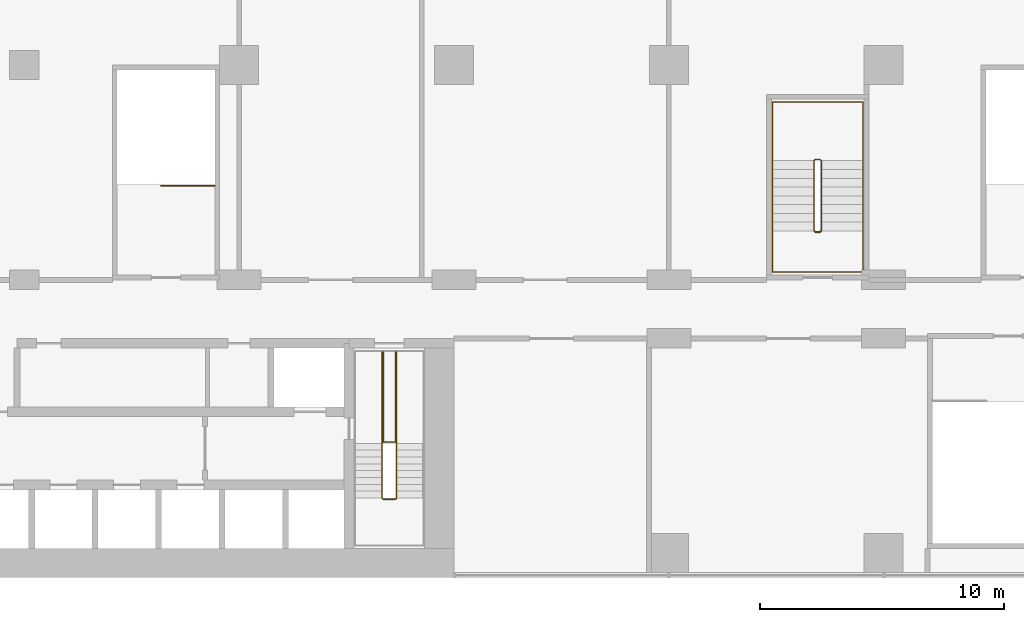
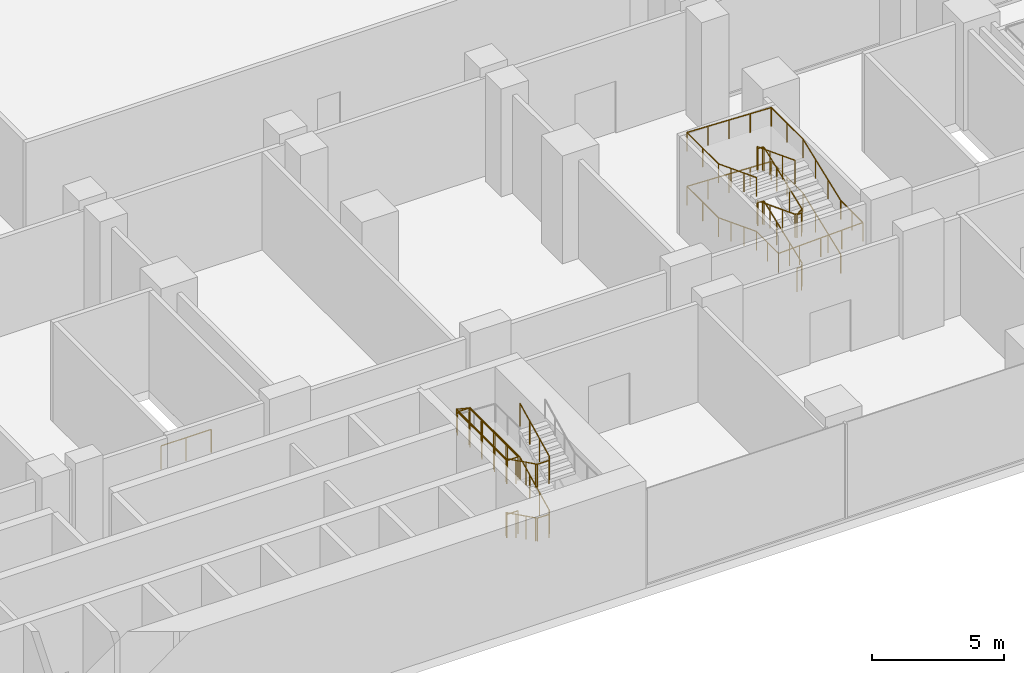
# One storey, part 25 of 27: 4 railings.
"""IFC4 building model written with IfcOpenShell, lengths in metres."""

from ifc_helpers import new_model, si_unit, direction, frame, origin, origin_2d, place, context, subcontext, project, spatial, circle, extrude, material, type_object, element, save


model = new_model("IFC4")

# Units and contexts
model_context = context("Model", 3, precision=1e-05, world=origin(), true_north=direction((0.0, 1.0)))
body_context = subcontext(model_context, "Body", "Model", "MODEL_VIEW")
ifc_project = project(units=[si_unit("LENGTHUNIT", "METRE"), si_unit("AREAUNIT", "SQUARE_METRE"), si_unit("VOLUMEUNIT", "CUBIC_METRE"), si_unit("PLANEANGLEUNIT", "RADIAN"), si_unit("MASSUNIT", "GRAM", prefix="KILO")], contexts=[model_context])

# Site, building, storey
site_placement = place(None, origin())
site = spatial("IfcSite", under=ifc_project, at=site_placement, CompositionType="ELEMENT")
building_placement = place(site_placement, origin())
building = spatial("IfcBuilding", under=site, at=building_placement, Name="Kemantara Hotel Tower", CompositionType="ELEMENT")
storey_placement = place(building_placement, frame((0.0, 0.0, 29.0)))
storey = spatial("IfcBuildingStorey", under=building, at=storey_placement, Name="L05", CompositionType="ELEMENT", Elevation=29.0)

# Railings
ifc_material = material(Name="Stainless steel balustrade", Category="steel")
railing_type_1 = type_object("IfcRailingType", Name="Stair guard 1100 mm", PredefinedType="GUARDRAIL", material=ifc_material)
railing_1_placement = place(storey_placement, frame((42.64990234375, 5.5, 5.0)))
element("IfcRailing", 1, at=railing_1_placement, inside=storey, type_object=railing_type_1, Name="L05 ST2 stair guard 1", PredefinedType="GUARDRAIL", context=body_context, shape_type="SweptSolid", body=[
    extrude(circle(Radius=0.02392578125, at=origin_2d()), frame((0.0, 0.0, 1.076171875), z_axis=(0.0, -0.895848192791, -0.444360231651), x_axis=(1.0, 0.0, 0.0)), (0.0, 0.0, 1.0), 2.50048828125),
    extrude(circle(Radius=0.02392578125, at=origin_2d()), frame((0.0, -2.239990234375, -0.03515625), z_axis=(-0.319608697381, -0.321175406682, -0.891457592206), x_axis=(0.708833529934, -0.705375805398, 0.0)), (0.0, 0.0, 1.0), 0.15576171875),
    extrude(circle(Radius=0.02392578125, at=origin_2d()), frame((-0.0498046875, -2.2900390625, -0.173828125), z_axis=(-1.0, 0.0, 0.0), x_axis=(0.0, -1.0, 0.0)), (0.0, 0.0, 1.0), 0.5),
    extrude(circle(Radius=0.02392578125, at=origin_2d()), frame((-0.5498046875, -2.2900390625, -0.173828125), z_axis=(-0.707106781187, 0.707106781187, 0.0), x_axis=(-0.707106781187, -0.707106781187, 0.0)), (0.0, 0.0, 1.0), 0.07080078125),
    extrude(circle(Radius=0.02392578125, at=origin_2d()), frame((-0.599853515625, -2.239990234375, -0.173828125), z_axis=(0.0, 0.895848192791, -0.444360231651), x_axis=(-1.0, 0.0, 0.0)), (0.0, 0.0, 1.0), 2.50048828125),
    extrude(circle(Radius=0.02392578125, at=origin_2d()), frame((-0.599853515625, 0.0, -1.28515625), z_axis=(0.0, 1.0, 0.0), x_axis=(-1.0, 0.0, 0.0)), (0.0, 0.0, 1.0), 3.780029296875),
    extrude(circle(Radius=0.02392578125, at=origin_2d()), frame((-0.599853515625, 3.780029296875, -1.28515625), z_axis=(0.969557479204, 0.0, -0.244863828525), x_axis=(0.0, 1.0, 0.0)), (0.0, 0.0, 1.0), 0.5673828125),
    extrude(circle(Radius=0.02392578125, at=origin_2d()), frame((-0.0498046875, 3.780029296875, -1.423828125), z_axis=(0.0, -1.0, 0.0), x_axis=(1.0, 0.0, 0.0)), (0.0, 0.0, 1.0), 3.72998046875),
    extrude(circle(Radius=0.02392578125, at=origin_2d()), frame((-0.0498046875, 0.050048828125, -1.423828125), z_axis=(-1.0, 0.0, 0.0), x_axis=(0.0, -1.0, 0.0)), (0.0, 0.0, 1.0), 0.5),
    extrude(circle(Radius=0.02392578125, at=origin_2d()), frame((-0.5498046875, 0.050048828125, -1.423828125), z_axis=(0.0, 1.0, 0.0), x_axis=(-1.0, 0.0, 0.0)), (0.0, 0.0, 1.0), 3.72998046875),
    extrude(circle(Radius=0.02392578125, at=origin_2d()), frame((-0.5498046875, 3.780029296875, -1.423828125), z_axis=(1.0, 0.0, 0.0), x_axis=(0.0, 1.0, 0.0)), (0.0, 0.0, 1.0), 0.5498046875),
    extrude(circle(Radius=0.02392578125, at=origin_2d()), frame((0.0, 3.780029296875, -1.423828125), z_axis=(0.0, -1.0, 0.0), x_axis=(1.0, 0.0, 0.0)), (0.0, 0.0, 1.0), 3.780029296875),
    extrude(circle(Radius=0.02392578125, at=origin_2d()), frame((0.0, 0.0, -1.423828125), z_axis=(0.0, -0.895848192791, -0.444360231651), x_axis=(1.0, 0.0, 0.0)), (0.0, 0.0, 1.0), 2.50048828125),
    extrude(circle(Radius=0.02392578125, at=origin_2d()), frame((0.0, -2.239990234375, -2.53515625), z_axis=(-0.319608697381, -0.321175406682, -0.891457592206), x_axis=(0.708833529934, -0.705375805398, 0.0)), (0.0, 0.0, 1.0), 0.15576171875),
    extrude(circle(Radius=0.02392578125, at=origin_2d()), frame((-0.0498046875, -2.2900390625, -2.673828125), z_axis=(-1.0, 0.0, 0.0), x_axis=(0.0, -1.0, 0.0)), (0.0, 0.0, 1.0), 0.5),
    extrude(circle(Radius=0.02392578125, at=origin_2d()), frame((-0.5498046875, -2.2900390625, -2.673828125), z_axis=(-0.707106781187, 0.707106781187, 0.0), x_axis=(-0.707106781187, -0.707106781187, 0.0)), (0.0, 0.0, 1.0), 0.07080078125),
    extrude(circle(Radius=0.02392578125, at=origin_2d()), frame((-0.599853515625, -2.239990234375, -2.673828125), z_axis=(0.0, 0.895848192791, -0.444360231651), x_axis=(-1.0, 0.0, 0.0)), (0.0, 0.0, 1.0), 2.50048828125),
    extrude(circle(Radius=0.02392578125, at=origin_2d()), frame((-0.599853515625, 0.0, -3.78515625), z_axis=(0.321014310373, 0.321014310373, -0.891010451718), x_axis=(-0.707106781187, 0.707106781187, 0.0)), (0.0, 0.0, 1.0), 0.156005859375),
    extrude(circle(Radius=0.02392578125, at=origin_2d()), frame((-0.5498046875, 0.050048828125, -3.923828125), z_axis=(1.0, 0.0, 0.0), x_axis=(0.0, 1.0, 0.0)), (0.0, 0.0, 1.0), 0.5),
    extrude(circle(Radius=0.02099609375, at=origin_2d()), origin(), (0.0, 0.0, 1.0), 1.052001953125),
    extrude(circle(Radius=0.02099609375, at=origin_2d()), frame((0.0, -0.74658203125, -0.370361328125)), (0.0, 0.0, 1.0), 1.052001953125),
    extrude(circle(Radius=0.02099609375, at=origin_2d()), frame((0.0, -1.493408203125, -0.74072265625)), (0.0, 0.0, 1.0), 1.052001953125),
    extrude(circle(Radius=0.02099609375, at=origin_2d()), frame((0.0, -2.239990234375, -1.111083984375)), (0.0, 0.0, 1.0), 1.052001953125),
    extrude(circle(Radius=0.02099609375, at=origin_2d()), frame((-0.0498046875, -2.2900390625, -1.25)), (0.0, 0.0, 1.0), 1.052001953125),
    extrude(circle(Radius=0.02099609375, at=origin_2d()), frame((-0.5498046875, -2.2900390625, -1.25)), (0.0, 0.0, 1.0), 1.052001953125),
    extrude(circle(Radius=0.02099609375, at=origin_2d()), frame((-0.599853515625, -2.239990234375, -1.25)), (0.0, 0.0, 1.0), 1.052001953125),
    extrude(circle(Radius=0.02099609375, at=origin_2d()), frame((-0.599853515625, -1.493408203125, -1.620361328125)), (0.0, 0.0, 1.0), 1.052001953125),
    extrude(circle(Radius=0.02099609375, at=origin_2d()), frame((-0.599853515625, -0.74658203125, -1.99072265625)), (0.0, 0.0, 1.0), 1.052001953125),
    extrude(circle(Radius=0.02099609375, at=origin_2d()), frame((-0.599853515625, 0.0, -2.361083984375)), (0.0, 0.0, 1.0), 1.052001953125),
    extrude(circle(Radius=0.02099609375, at=origin_2d()), frame((-0.599853515625, 0.945068359375, -2.361083984375)), (0.0, 0.0, 1.0), 1.052001953125),
    extrude(circle(Radius=0.02099609375, at=origin_2d()), frame((-0.599853515625, 1.89013671875, -2.361083984375)), (0.0, 0.0, 1.0), 1.052001953125),
    extrude(circle(Radius=0.02099609375, at=origin_2d()), frame((-0.599853515625, 2.8349609375, -2.361083984375)), (0.0, 0.0, 1.0), 1.052001953125),
    extrude(circle(Radius=0.02099609375, at=origin_2d()), frame((-0.599853515625, 3.780029296875, -2.361083984375)), (0.0, 0.0, 1.0), 1.052001953125),
    extrude(circle(Radius=0.02099609375, at=origin_2d()), frame((-0.0498046875, 3.780029296875, -2.5)), (0.0, 0.0, 1.0), 1.052001953125),
    extrude(circle(Radius=0.02099609375, at=origin_2d()), frame((-0.0498046875, 2.84765625, -2.5)), (0.0, 0.0, 1.0), 1.052001953125),
    extrude(circle(Radius=0.02099609375, at=origin_2d()), frame((-0.0498046875, 1.9150390625, -2.5)), (0.0, 0.0, 1.0), 1.052001953125),
    extrude(circle(Radius=0.02099609375, at=origin_2d()), frame((-0.0498046875, 0.982421875, -2.5)), (0.0, 0.0, 1.0), 1.052001953125),
    extrude(circle(Radius=0.02099609375, at=origin_2d()), frame((-0.0498046875, 0.050048828125, -2.5)), (0.0, 0.0, 1.0), 1.052001953125),
    extrude(circle(Radius=0.02099609375, at=origin_2d()), frame((-0.5498046875, 0.050048828125, -2.5)), (0.0, 0.0, 1.0), 1.052001953125),
    extrude(circle(Radius=0.02099609375, at=origin_2d()), frame((-0.5498046875, 0.982421875, -2.5)), (0.0, 0.0, 1.0), 1.052001953125),
    extrude(circle(Radius=0.02099609375, at=origin_2d()), frame((-0.5498046875, 1.9150390625, -2.5)), (0.0, 0.0, 1.0), 1.052001953125),
    extrude(circle(Radius=0.02099609375, at=origin_2d()), frame((-0.5498046875, 2.84765625, -2.5)), (0.0, 0.0, 1.0), 1.052001953125),
    extrude(circle(Radius=0.02099609375, at=origin_2d()), frame((-0.5498046875, 3.780029296875, -2.5)), (0.0, 0.0, 1.0), 1.052001953125),
    extrude(circle(Radius=0.02099609375, at=origin_2d()), frame((0.0, 3.780029296875, -2.5)), (0.0, 0.0, 1.0), 1.052001953125),
    extrude(circle(Radius=0.02099609375, at=origin_2d()), frame((0.0, 2.8349609375, -2.5)), (0.0, 0.0, 1.0), 1.052001953125),
    extrude(circle(Radius=0.02099609375, at=origin_2d()), frame((0.0, 1.89013671875, -2.5)), (0.0, 0.0, 1.0), 1.052001953125),
    extrude(circle(Radius=0.02099609375, at=origin_2d()), frame((0.0, 0.945068359375, -2.5)), (0.0, 0.0, 1.0), 1.052001953125),
    extrude(circle(Radius=0.02099609375, at=origin_2d()), frame((0.0, 0.0, -2.5)), (0.0, 0.0, 1.0), 1.052001953125),
    extrude(circle(Radius=0.02099609375, at=origin_2d()), frame((0.0, -0.74658203125, -2.870361328125)), (0.0, 0.0, 1.0), 1.052001953125),
    extrude(circle(Radius=0.02099609375, at=origin_2d()), frame((0.0, -1.493408203125, -3.24072265625)), (0.0, 0.0, 1.0), 1.052001953125),
    extrude(circle(Radius=0.02099609375, at=origin_2d()), frame((0.0, -2.239990234375, -3.611083984375)), (0.0, 0.0, 1.0), 1.052001953125),
    extrude(circle(Radius=0.02099609375, at=origin_2d()), frame((-0.0498046875, -2.2900390625, -3.75)), (0.0, 0.0, 1.0), 1.052001953125),
    extrude(circle(Radius=0.02099609375, at=origin_2d()), frame((-0.5498046875, -2.2900390625, -3.75)), (0.0, 0.0, 1.0), 1.052001953125),
    extrude(circle(Radius=0.02099609375, at=origin_2d()), frame((-0.599853515625, -2.239990234375, -3.75)), (0.0, 0.0, 1.0), 1.052001953125),
    extrude(circle(Radius=0.02099609375, at=origin_2d()), frame((-0.599853515625, -1.493408203125, -4.120361328125)), (0.0, 0.0, 1.0), 1.052001953125),
    extrude(circle(Radius=0.02099609375, at=origin_2d()), frame((-0.599853515625, -0.74658203125, -4.49072265625)), (0.0, 0.0, 1.0), 1.052001953125),
    extrude(circle(Radius=0.02099609375, at=origin_2d()), frame((-0.599853515625, 0.0, -4.861083984375)), (0.0, 0.0, 1.0), 1.052001953125),
    extrude(circle(Radius=0.02099609375, at=origin_2d()), frame((-0.5498046875, 0.050048828125, -5.0)), (0.0, 0.0, 1.0), 1.052001953125),
    extrude(circle(Radius=0.02099609375, at=origin_2d()), frame((-0.0498046875, 0.050048828125, -5.0)), (0.0, 0.0, 1.0), 1.052001953125),
])
railing_2_placement = place(storey_placement, frame((59.75, 14.199951171875, 5.0)))
element("IfcRailing", 2, at=railing_2_placement, inside=storey, type_object=railing_type_1, Name="L05 ST3 stair guard 1", PredefinedType="GUARDRAIL", context=body_context, shape_type="SweptSolid", body=[
    extrude(circle(Radius=0.02392578125, at=origin_2d()), frame((0.0, 0.0, 1.076171875), z_axis=(0.0, 0.932982310422, -0.359922225543), x_axis=(-1.0, 0.0, 0.0)), (0.0, 0.0, 1.0), 3.0869140625),
    extrude(circle(Radius=0.02392578125, at=origin_2d()), frame((0.0, 2.880126953125, -0.03515625), z_axis=(0.321175406682, 0.319608697381, -0.891457592206), x_axis=(-0.705375805398, 0.708833529934, 0.0)), (0.0, 0.0, 1.0), 0.15576171875),
    extrude(circle(Radius=0.02392578125, at=origin_2d()), frame((0.050048828125, 2.929931640625, -0.173828125), z_axis=(1.0, 0.0, 0.0), x_axis=(0.0, 1.0, 0.0)), (0.0, 0.0, 1.0), 0.199951171875),
    extrude(circle(Radius=0.02392578125, at=origin_2d()), frame((0.25, 2.929931640625, -0.173828125), z_axis=(0.708833529934, -0.705375805398, 0.0), x_axis=(0.705375805398, 0.708833529934, 0.0)), (0.0, 0.0, 1.0), 0.070556640625),
    extrude(circle(Radius=0.02392578125, at=origin_2d()), frame((0.300048828125, 2.880126953125, -0.173828125), z_axis=(0.0, -0.932982310422, -0.359922225543), x_axis=(1.0, 0.0, 0.0)), (0.0, 0.0, 1.0), 3.0869140625),
    extrude(circle(Radius=0.02392578125, at=origin_2d()), frame((0.300048828125, 0.0, -1.28515625), z_axis=(-0.861032742868, -0.172374719031, -0.478444951847), x_axis=(0.196300278283, -0.98054382908, 0.0)), (0.0, 0.0, 1.0), 0.290283203125),
    extrude(circle(Radius=0.02392578125, at=origin_2d()), frame((0.050048828125, -0.050048828125, -1.423828125), z_axis=(1.0, 0.0, 0.0), x_axis=(0.0, 1.0, 0.0)), (0.0, 0.0, 1.0), 0.199951171875),
    extrude(circle(Radius=0.02392578125, at=origin_2d()), frame((0.25, -0.050048828125, -1.423828125), z_axis=(-0.98054382908, 0.196300278283, 0.0), x_axis=(-0.196300278283, -0.98054382908, 0.0)), (0.0, 0.0, 1.0), 0.2548828125),
    extrude(circle(Radius=0.02392578125, at=origin_2d()), frame((0.0, 0.0, -1.423828125), z_axis=(0.0, 0.932982310422, -0.359922225543), x_axis=(-1.0, 0.0, 0.0)), (0.0, 0.0, 1.0), 3.0869140625),
    extrude(circle(Radius=0.02392578125, at=origin_2d()), frame((0.0, 2.880126953125, -2.53515625), z_axis=(0.321175406682, 0.319608697381, -0.891457592206), x_axis=(-0.705375805398, 0.708833529934, 0.0)), (0.0, 0.0, 1.0), 0.15576171875),
    extrude(circle(Radius=0.02392578125, at=origin_2d()), frame((0.050048828125, 2.929931640625, -2.673828125), z_axis=(1.0, 0.0, 0.0), x_axis=(0.0, 1.0, 0.0)), (0.0, 0.0, 1.0), 0.199951171875),
    extrude(circle(Radius=0.02392578125, at=origin_2d()), frame((0.25, 2.929931640625, -2.673828125), z_axis=(0.708833529934, -0.705375805398, 0.0), x_axis=(0.705375805398, 0.708833529934, 0.0)), (0.0, 0.0, 1.0), 0.070556640625),
    extrude(circle(Radius=0.02392578125, at=origin_2d()), frame((0.300048828125, 2.880126953125, -2.673828125), z_axis=(0.0, -0.932982310422, -0.359922225543), x_axis=(1.0, 0.0, 0.0)), (0.0, 0.0, 1.0), 3.0869140625),
    extrude(circle(Radius=0.02392578125, at=origin_2d()), frame((0.300048828125, 0.0, -3.78515625), z_axis=(-0.321014310373, -0.321014310373, -0.891010451718), x_axis=(0.707106781187, -0.707106781187, 0.0)), (0.0, 0.0, 1.0), 0.156005859375),
    extrude(circle(Radius=0.02392578125, at=origin_2d()), frame((0.25, -0.050048828125, -3.923828125), z_axis=(-1.0, 0.0, 0.0), x_axis=(0.0, -1.0, 0.0)), (0.0, 0.0, 1.0), 0.199951171875),
    extrude(circle(Radius=0.02099609375, at=origin_2d()), origin(), (0.0, 0.0, 1.0), 1.052001953125),
    extrude(circle(Radius=0.02099609375, at=origin_2d()), frame((0.0, 0.9599609375, -0.370361328125)), (0.0, 0.0, 1.0), 1.052001953125),
    extrude(circle(Radius=0.02099609375, at=origin_2d()), frame((0.0, 1.920166015625, -0.74072265625)), (0.0, 0.0, 1.0), 1.052001953125),
    extrude(circle(Radius=0.02099609375, at=origin_2d()), frame((0.0, 2.880126953125, -1.111083984375)), (0.0, 0.0, 1.0), 1.052001953125),
    extrude(circle(Radius=0.02099609375, at=origin_2d()), frame((0.050048828125, 2.929931640625, -1.25)), (0.0, 0.0, 1.0), 1.052001953125),
    extrude(circle(Radius=0.02099609375, at=origin_2d()), frame((0.25, 2.929931640625, -1.25)), (0.0, 0.0, 1.0), 1.052001953125),
    extrude(circle(Radius=0.02099609375, at=origin_2d()), frame((0.300048828125, 2.880126953125, -1.25)), (0.0, 0.0, 1.0), 1.052001953125),
    extrude(circle(Radius=0.02099609375, at=origin_2d()), frame((0.300048828125, 1.920166015625, -1.620361328125)), (0.0, 0.0, 1.0), 1.052001953125),
    extrude(circle(Radius=0.02099609375, at=origin_2d()), frame((0.300048828125, 0.9599609375, -1.99072265625)), (0.0, 0.0, 1.0), 1.052001953125),
    extrude(circle(Radius=0.02099609375, at=origin_2d()), frame((0.300048828125, 0.0, -2.361083984375)), (0.0, 0.0, 1.0), 1.052001953125),
    extrude(circle(Radius=0.02099609375, at=origin_2d()), frame((0.050048828125, -0.050048828125, -2.5)), (0.0, 0.0, 1.0), 1.052001953125),
    extrude(circle(Radius=0.02099609375, at=origin_2d()), frame((0.25, -0.050048828125, -2.5)), (0.0, 0.0, 1.0), 1.052001953125),
    extrude(circle(Radius=0.02099609375, at=origin_2d()), frame((0.0, 0.0, -2.5)), (0.0, 0.0, 1.0), 1.052001953125),
    extrude(circle(Radius=0.02099609375, at=origin_2d()), frame((0.0, 0.9599609375, -2.870361328125)), (0.0, 0.0, 1.0), 1.052001953125),
    extrude(circle(Radius=0.02099609375, at=origin_2d()), frame((0.0, 1.920166015625, -3.24072265625)), (0.0, 0.0, 1.0), 1.052001953125),
    extrude(circle(Radius=0.02099609375, at=origin_2d()), frame((0.0, 2.880126953125, -3.611083984375)), (0.0, 0.0, 1.0), 1.052001953125),
    extrude(circle(Radius=0.02099609375, at=origin_2d()), frame((0.050048828125, 2.929931640625, -3.75)), (0.0, 0.0, 1.0), 1.052001953125),
    extrude(circle(Radius=0.02099609375, at=origin_2d()), frame((0.25, 2.929931640625, -3.75)), (0.0, 0.0, 1.0), 1.052001953125),
    extrude(circle(Radius=0.02099609375, at=origin_2d()), frame((0.300048828125, 2.880126953125, -3.75)), (0.0, 0.0, 1.0), 1.052001953125),
    extrude(circle(Radius=0.02099609375, at=origin_2d()), frame((0.300048828125, 1.920166015625, -4.120361328125)), (0.0, 0.0, 1.0), 1.052001953125),
    extrude(circle(Radius=0.02099609375, at=origin_2d()), frame((0.300048828125, 0.9599609375, -4.49072265625)), (0.0, 0.0, 1.0), 1.052001953125),
    extrude(circle(Radius=0.02099609375, at=origin_2d()), frame((0.300048828125, 0.0, -4.861083984375)), (0.0, 0.0, 1.0), 1.052001953125),
    extrude(circle(Radius=0.02099609375, at=origin_2d()), frame((0.25, -0.050048828125, -5.0)), (0.0, 0.0, 1.0), 1.052001953125),
    extrude(circle(Radius=0.02099609375, at=origin_2d()), frame((0.050048828125, -0.050048828125, -5.0)), (0.0, 0.0, 1.0), 1.052001953125),
])
railing_3_placement = place(storey_placement, frame((35.199951171875, 16.050048828125, 0.0)))
element("IfcRailing", 3, at=railing_3_placement, inside=storey, type_object=railing_type_1, Name="L05 PS3 top well guard 1", PredefinedType="GUARDRAIL", context=body_context, shape_type="SweptSolid", body=[
    extrude(circle(Radius=0.02392578125, at=origin_2d()), frame((0.0, 0.0, 1.076171875), z_axis=(-1.0, 0.0, 0.0), x_axis=(0.0, -1.0, 0.0)), (0.0, 0.0, 1.0), 2.199951171875),
    extrude(circle(Radius=0.02099609375, at=origin_2d()), origin(), (0.0, 0.0, 1.0), 1.052001953125),
    extrude(circle(Radius=0.02099609375, at=origin_2d()), frame((-1.10009765625, 0.0, 0.0)), (0.0, 0.0, 1.0), 1.052001953125),
    extrude(circle(Radius=0.02099609375, at=origin_2d()), frame((-2.199951171875, 0.0, 0.0)), (0.0, 0.0, 1.0), 1.052001953125),
])
railing_type_2 = type_object("IfcRailingType", Name="Stair handrail 900 mm", PredefinedType="HANDRAIL", material=ifc_material)
railing_4_placement = place(storey_placement, frame((61.75, 14.199951171875, 0.138916015625)))
element("IfcRailing", 4, at=railing_4_placement, inside=storey, type_object=railing_type_2, Name="L05 ST3 stair handrail 1", PredefinedType="HANDRAIL", context=body_context, shape_type="SweptSolid", body=[
    extrude(circle(Radius=0.02392578125, at=origin_2d()), frame((0.0, 0.0, 0.8759765625), z_axis=(0.0, 0.932982310422, 0.359922225543), x_axis=(-1.0, 0.0, 0.0)), (0.0, 0.0, 1.0), 3.0869140625),
    extrude(circle(Radius=0.02392578125, at=origin_2d()), frame((0.0, 2.880126953125, 1.98681640625), z_axis=(0.0, 1.0, 0.0), x_axis=(-1.0, 0.0, 0.0)), (0.0, 0.0, 1.0), 2.39990234375),
    extrude(circle(Radius=0.02392578125, at=origin_2d()), frame((0.0, 5.280029296875, 1.98681640625), z_axis=(-0.999295917098, 0.0, 0.037518929517), x_axis=(0.0, -1.0, 0.0)), (0.0, 0.0, 1.0), 3.70263671875),
    extrude(circle(Radius=0.02392578125, at=origin_2d()), frame((-3.699951171875, 5.280029296875, 2.1259765625), z_axis=(0.0, -1.0, 0.0), x_axis=(1.0, 0.0, 0.0)), (0.0, 0.0, 1.0), 2.39990234375),
    extrude(circle(Radius=0.02392578125, at=origin_2d()), frame((-3.699951171875, 2.880126953125, 2.1259765625), z_axis=(0.0, -0.932982310422, 0.359922225543), x_axis=(1.0, 0.0, 0.0)), (0.0, 0.0, 1.0), 3.0869140625),
    extrude(circle(Radius=0.02392578125, at=origin_2d()), frame((-3.699951171875, 0.0, 3.23681640625), z_axis=(0.0, -1.0, 0.0), x_axis=(1.0, 0.0, 0.0)), (0.0, 0.0, 1.0), 1.679931640625),
    extrude(circle(Radius=0.02392578125, at=origin_2d()), frame((-3.699951171875, -1.679931640625, 3.23681640625), z_axis=(0.999295917098, 0.0, 0.037518929517), x_axis=(0.0, 1.0, 0.0)), (0.0, 0.0, 1.0), 3.70263671875),
    extrude(circle(Radius=0.02392578125, at=origin_2d()), frame((0.0, -1.679931640625, 3.3759765625), z_axis=(0.0, 1.0, 0.0), x_axis=(-1.0, 0.0, 0.0)), (0.0, 0.0, 1.0), 1.679931640625),
    extrude(circle(Radius=0.02392578125, at=origin_2d()), frame((0.0, 0.0, 3.3759765625), z_axis=(0.0, 0.932982310422, 0.359922225543), x_axis=(-1.0, 0.0, 0.0)), (0.0, 0.0, 1.0), 3.0869140625),
    extrude(circle(Radius=0.02392578125, at=origin_2d()), frame((0.0, 2.880126953125, 4.48681640625), z_axis=(0.0, 1.0, 0.0), x_axis=(-1.0, 0.0, 0.0)), (0.0, 0.0, 1.0), 2.39990234375),
    extrude(circle(Radius=0.02392578125, at=origin_2d()), frame((0.0, 5.280029296875, 4.48681640625), z_axis=(-0.999295917098, 0.0, 0.037518929517), x_axis=(0.0, -1.0, 0.0)), (0.0, 0.0, 1.0), 3.70263671875),
    extrude(circle(Radius=0.02392578125, at=origin_2d()), frame((-3.699951171875, 5.280029296875, 4.6259765625), z_axis=(0.0, -1.0, 0.0), x_axis=(1.0, 0.0, 0.0)), (0.0, 0.0, 1.0), 2.39990234375),
    extrude(circle(Radius=0.02392578125, at=origin_2d()), frame((-3.699951171875, 2.880126953125, 4.6259765625), z_axis=(0.0, -0.932982310422, 0.359922225543), x_axis=(1.0, 0.0, 0.0)), (0.0, 0.0, 1.0), 3.0869140625),
    extrude(circle(Radius=0.02099609375, at=origin_2d()), origin(), (0.0, 0.0, 1.0), 0.851806640625),
    extrude(circle(Radius=0.02099609375, at=origin_2d()), frame((0.0, 0.9599609375, 0.370361328125)), (0.0, 0.0, 1.0), 0.851806640625),
    extrude(circle(Radius=0.02099609375, at=origin_2d()), frame((0.0, 1.920166015625, 0.74072265625)), (0.0, 0.0, 1.0), 0.851806640625),
    extrude(circle(Radius=0.02099609375, at=origin_2d()), frame((0.0, 2.880126953125, 1.111083984375)), (0.0, 0.0, 1.0), 0.851806640625),
    extrude(circle(Radius=0.02099609375, at=origin_2d()), frame((0.0, 4.080078125, 1.111083984375)), (0.0, 0.0, 1.0), 0.851806640625),
    extrude(circle(Radius=0.02099609375, at=origin_2d()), frame((0.0, 5.280029296875, 1.111083984375)), (0.0, 0.0, 1.0), 0.851806640625),
    extrude(circle(Radius=0.02099609375, at=origin_2d()), frame((-0.925048828125, 5.280029296875, 1.145751953125)), (0.0, 0.0, 1.0), 0.851806640625),
    extrude(circle(Radius=0.02099609375, at=origin_2d()), frame((-1.85009765625, 5.280029296875, 1.1806640625)), (0.0, 0.0, 1.0), 0.851806640625),
    extrude(circle(Radius=0.02099609375, at=origin_2d()), frame((-2.77490234375, 5.280029296875, 1.21533203125)), (0.0, 0.0, 1.0), 0.851806640625),
    extrude(circle(Radius=0.02099609375, at=origin_2d()), frame((-3.699951171875, 5.280029296875, 1.25)), (0.0, 0.0, 1.0), 0.851806640625),
    extrude(circle(Radius=0.02099609375, at=origin_2d()), frame((-3.699951171875, 4.080078125, 1.25)), (0.0, 0.0, 1.0), 0.851806640625),
    extrude(circle(Radius=0.02099609375, at=origin_2d()), frame((-3.699951171875, 2.880126953125, 1.25)), (0.0, 0.0, 1.0), 0.851806640625),
    extrude(circle(Radius=0.02099609375, at=origin_2d()), frame((-3.699951171875, 1.920166015625, 1.620361328125)), (0.0, 0.0, 1.0), 0.851806640625),
    extrude(circle(Radius=0.02099609375, at=origin_2d()), frame((-3.699951171875, 0.9599609375, 1.99072265625)), (0.0, 0.0, 1.0), 0.851806640625),
    extrude(circle(Radius=0.02099609375, at=origin_2d()), frame((-3.699951171875, 0.0, 2.361083984375)), (0.0, 0.0, 1.0), 0.851806640625),
    extrude(circle(Radius=0.02099609375, at=origin_2d()), frame((-3.699951171875, -0.83984375, 2.361083984375)), (0.0, 0.0, 1.0), 0.851806640625),
    extrude(circle(Radius=0.02099609375, at=origin_2d()), frame((-3.699951171875, -1.679931640625, 2.361083984375)), (0.0, 0.0, 1.0), 0.851806640625),
    extrude(circle(Radius=0.02099609375, at=origin_2d()), frame((-2.77490234375, -1.679931640625, 2.395751953125)), (0.0, 0.0, 1.0), 0.851806640625),
    extrude(circle(Radius=0.02099609375, at=origin_2d()), frame((-1.85009765625, -1.679931640625, 2.4306640625)), (0.0, 0.0, 1.0), 0.851806640625),
    extrude(circle(Radius=0.02099609375, at=origin_2d()), frame((-0.925048828125, -1.679931640625, 2.46533203125)), (0.0, 0.0, 1.0), 0.851806640625),
    extrude(circle(Radius=0.02099609375, at=origin_2d()), frame((0.0, -1.679931640625, 2.5)), (0.0, 0.0, 1.0), 0.851806640625),
    extrude(circle(Radius=0.02099609375, at=origin_2d()), frame((0.0, -0.83984375, 2.5)), (0.0, 0.0, 1.0), 0.851806640625),
    extrude(circle(Radius=0.02099609375, at=origin_2d()), frame((0.0, 0.0, 2.5)), (0.0, 0.0, 1.0), 0.851806640625),
    extrude(circle(Radius=0.02099609375, at=origin_2d()), frame((0.0, 0.9599609375, 2.870361328125)), (0.0, 0.0, 1.0), 0.851806640625),
    extrude(circle(Radius=0.02099609375, at=origin_2d()), frame((0.0, 1.920166015625, 3.24072265625)), (0.0, 0.0, 1.0), 0.851806640625),
    extrude(circle(Radius=0.02099609375, at=origin_2d()), frame((0.0, 2.880126953125, 3.611083984375)), (0.0, 0.0, 1.0), 0.851806640625),
    extrude(circle(Radius=0.02099609375, at=origin_2d()), frame((0.0, 4.080078125, 3.611083984375)), (0.0, 0.0, 1.0), 0.851806640625),
    extrude(circle(Radius=0.02099609375, at=origin_2d()), frame((0.0, 5.280029296875, 3.611083984375)), (0.0, 0.0, 1.0), 0.851806640625),
    extrude(circle(Radius=0.02099609375, at=origin_2d()), frame((-0.925048828125, 5.280029296875, 3.645751953125)), (0.0, 0.0, 1.0), 0.851806640625),
    extrude(circle(Radius=0.02099609375, at=origin_2d()), frame((-1.85009765625, 5.280029296875, 3.6806640625)), (0.0, 0.0, 1.0), 0.851806640625),
    extrude(circle(Radius=0.02099609375, at=origin_2d()), frame((-2.77490234375, 5.280029296875, 3.71533203125)), (0.0, 0.0, 1.0), 0.851806640625),
    extrude(circle(Radius=0.02099609375, at=origin_2d()), frame((-3.699951171875, 5.280029296875, 3.75)), (0.0, 0.0, 1.0), 0.851806640625),
    extrude(circle(Radius=0.02099609375, at=origin_2d()), frame((-3.699951171875, 4.080078125, 3.75)), (0.0, 0.0, 1.0), 0.851806640625),
    extrude(circle(Radius=0.02099609375, at=origin_2d()), frame((-3.699951171875, 2.880126953125, 3.75)), (0.0, 0.0, 1.0), 0.851806640625),
    extrude(circle(Radius=0.02099609375, at=origin_2d()), frame((-3.699951171875, 1.920166015625, 4.120361328125)), (0.0, 0.0, 1.0), 0.851806640625),
    extrude(circle(Radius=0.02099609375, at=origin_2d()), frame((-3.699951171875, 0.9599609375, 4.49072265625)), (0.0, 0.0, 1.0), 0.851806640625),
    extrude(circle(Radius=0.02099609375, at=origin_2d()), frame((-3.699951171875, 0.0, 4.861083984375)), (0.0, 0.0, 1.0), 0.851806640625),
])

save(model, "model.ifc")
